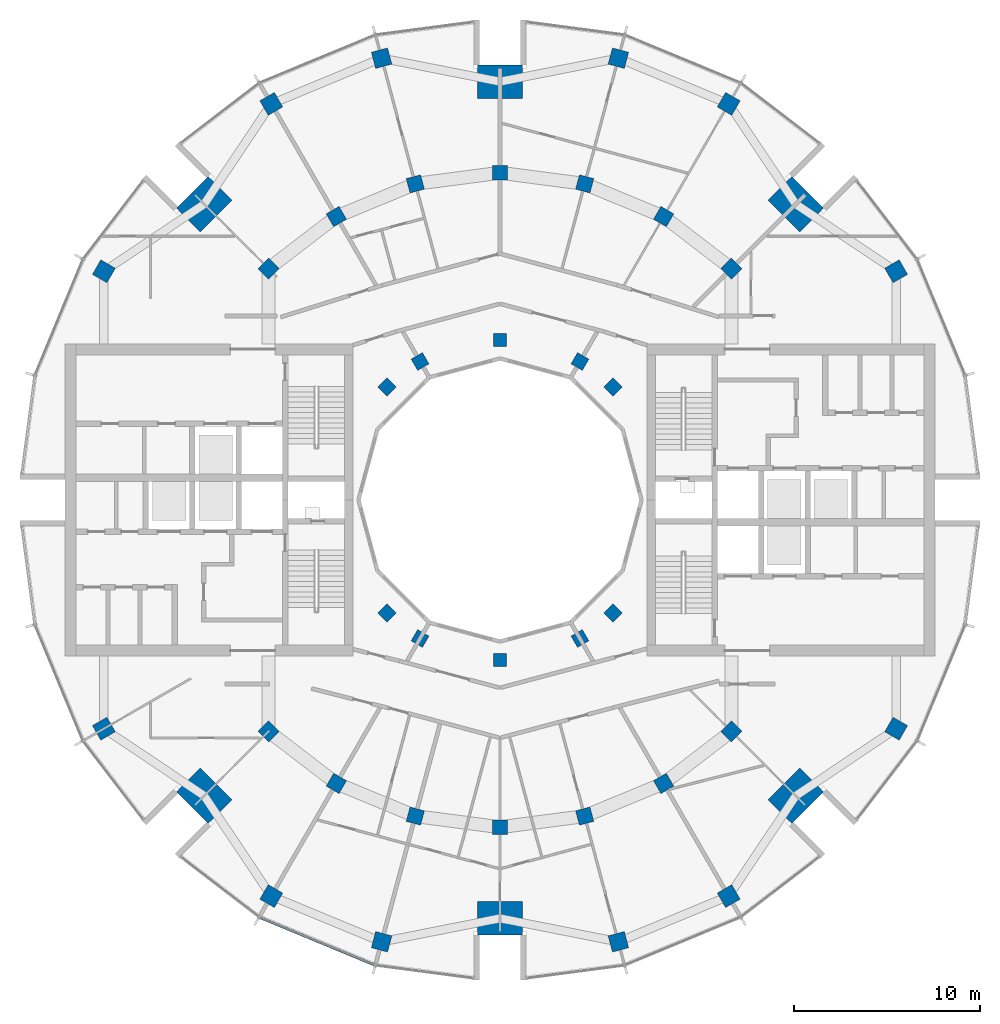
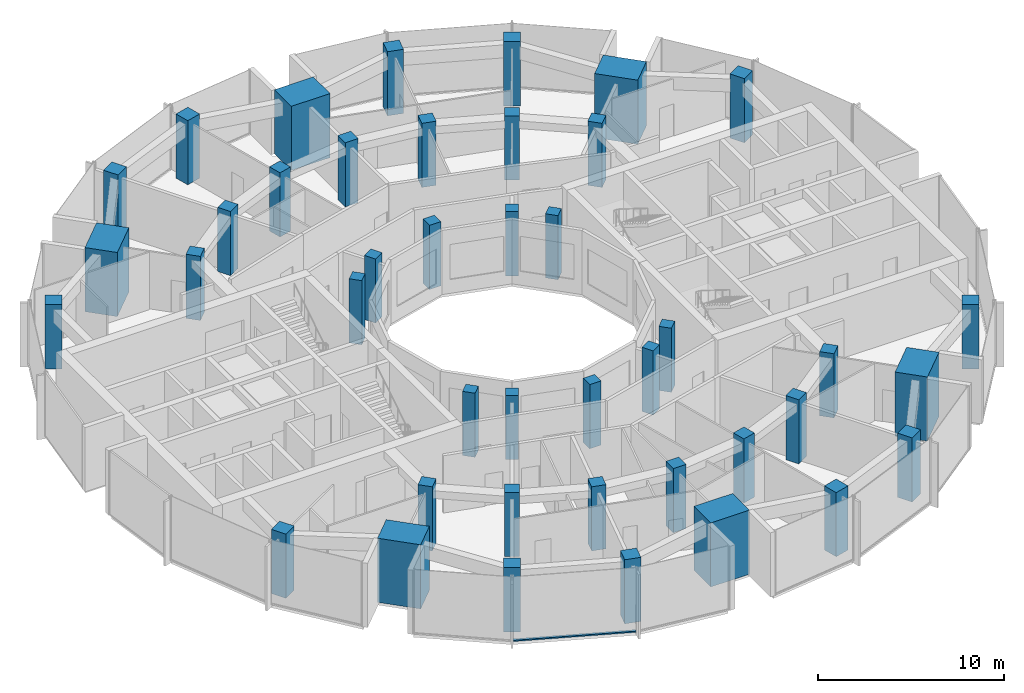
# One storey, part 1 of 15: 42 columns, 1 member, 1 element without a shape of its own.
"""IFC4 building model written with IfcOpenShell, lengths in metres."""

from ifc_helpers import new_model, si_unit, direction, frame, origin, origin_2d, place, context, subcontext, project, spatial, rectangle, extrude, material, layer, layer_set, material_profile, profile_set, type_object, element, aggregate, save


model = new_model("IFC4")

# Units and contexts
model_context = context("Model", 3, precision=1e-05, world=origin(), true_north=direction((0.0, 1.0)))
body_context = subcontext(model_context, "Body", "Model", "MODEL_VIEW")
ifc_project = project(units=[si_unit("LENGTHUNIT", "METRE"), si_unit("AREAUNIT", "SQUARE_METRE"), si_unit("VOLUMEUNIT", "CUBIC_METRE"), si_unit("PLANEANGLEUNIT", "RADIAN"), si_unit("MASSUNIT", "GRAM", prefix="KILO")], contexts=[model_context])

# Site, building, storey
site_placement = place(None, origin())
site = spatial("IfcSite", under=ifc_project, at=site_placement, CompositionType="ELEMENT")
building_placement = place(site_placement, origin())
building = spatial("IfcBuilding", under=site, at=building_placement, Name="Torre Brocal", CompositionType="ELEMENT")
storey_placement = place(building_placement, frame((0.0, 0.0, 212.5)))
storey = spatial("IfcBuildingStorey", under=building, at=storey_placement, Name="L49", CompositionType="ELEMENT", Elevation=212.5)

# Columns
ifc_material_1 = material(Name="Concrete C60", Category="concrete")
ifc_material_profile_1 = material_profile(ifc_material_1, rectangle(XDim=1.800048828125, YDim=2.39990234375, at=origin_2d()), Name="RC 1800X2400")
ifc_profile_set_1 = profile_set([ifc_material_profile_1], Name="Concrete C60")
column_type_1 = type_object("IfcColumnType", Name="RC COLUMN 1800X2400 C60", PredefinedType="COLUMN", material=ifc_profile_set_1)
for number, where, z_axis, x_axis, name in (
    (1, (95.909912109375, 90.909912109375, 0.0), (0.0, 0.0, 1.0), (0.707106781187, 0.707106781187, 0.0), "Column MC-1"),
    (2, (80.0, 97.5, 0.0), (0.0, 0.0, 1.0), (0.0, 1.0, 0.0), "Column MC-2"),
    (3, (64.090087890625, 90.909912109375, 0.0), (0.0, 0.0, 1.0), (-0.707106781187, 0.707106781187, 0.0), "Column MC-3"),
    (4, (64.090087890625, 59.090087890625, 0.0), (0.0, 0.0, 1.0), (-0.707106781187, -0.707106781187, 0.0), "Column MC-5"),
    (5, (80.0, 52.5, 0.0), (0.0, 0.0, 1.0), (0.0, -1.0, 0.0), "Column MC-6"),
    (6, (95.909912109375, 59.090087890625, 0.0), (0.0, 0.0, 1.0), (0.707106781187, -0.707106781187, 0.0), "Column MC-7"),
):
    element("IfcColumn", number, at=place(storey_placement, frame(where, z_axis=z_axis, x_axis=x_axis)), inside=storey, type_object=column_type_1, Name=name, PredefinedType="COLUMN", context=body_context, shape_type="SweptSolid", body=[
        extrude(rectangle(XDim=1.800048828125, YDim=2.39990234375, at=origin_2d()), origin(), (0.0, 0.0, 1.0), 4.199951171875),
    ])
ifc_material_2 = material(Name="Concrete C60", Category="concrete")
ifc_material_profile_2 = material_profile(ifc_material_2, rectangle(XDim=0.699951171875, YDim=0.699951171875, at=origin_2d()), Name="RC 700X700")
ifc_profile_set_2 = profile_set([ifc_material_profile_2], Name="Concrete C60")
column_type_2 = type_object("IfcColumnType", Name="RC COLUMN 700X700 C60", PredefinedType="COLUMN", material=ifc_profile_set_2)
for number, where, z_axis, x_axis, name in (
    (7, (86.0810546875, 81.0810546875, 0.0), (0.0, 0.0, 1.0), (0.707106781187, 0.707106781187, 0.0), "Column C-I03"),
    (8, (84.300048828125, 82.44775390625, 0.0), (0.0, 0.0, 1.0), (0.5, 0.866025403784, 0.0), "Column C-I04"),
    (9, (80.0, 83.60009765625, 0.0), (0.0, 0.0, 1.0), (0.0, 1.0, 0.0), "Column C-I06"),
    (10, (75.699951171875, 82.44775390625, 0.0), (0.0, 0.0, 1.0), (-0.5, 0.866025403784, 0.0), "Column C-I08"),
    (11, (73.9189453125, 81.0810546875, 0.0), (0.0, 0.0, 1.0), (-0.707106781187, 0.707106781187, 0.0), "Column C-I09"),
    (12, (73.9189453125, 68.9189453125, 0.0), (0.0, 0.0, 1.0), (-0.707106781187, -0.707106781187, 0.0), "Column C-I15"),
    (13, (75.699951171875, 67.55224609375, 0.0), (0.0, 0.0, 1.0), (-0.5, -0.866025403784, 0.0), "Column C-I16"),
    (14, (80.0, 66.39990234375, 0.0), (0.0, 0.0, 1.0), (0.0, -1.0, 0.0), "Column C-I18"),
    (15, (84.300048828125, 67.55224609375, 0.0), (0.0, 0.0, 1.0), (0.5, -0.866025403784, 0.0), "Column C-I20"),
    (16, (86.0810546875, 68.9189453125, 0.0), (0.0, 0.0, 1.0), (0.707106781187, -0.707106781187, 0.0), "Column C-I21"),
):
    element("IfcColumn", number, at=place(storey_placement, frame(where, z_axis=z_axis, x_axis=x_axis)), inside=storey, type_object=column_type_2, Name=name, PredefinedType="COLUMN", context=body_context, shape_type="SweptSolid", body=[
        extrude(rectangle(XDim=0.699951171875, YDim=0.699951171875, at=origin_2d()), origin(), (0.0, 0.0, 1.0), 4.199951171875),
    ])
ifc_material_3 = material(Name="Concrete C60", Category="concrete")
ifc_material_profile_3 = material_profile(ifc_material_3, rectangle(XDim=0.800048828125, YDim=0.800048828125, at=origin_2d()), Name="RC 800X800")
ifc_profile_set_3 = profile_set([ifc_material_profile_3], Name="Concrete C60")
column_type_3 = type_object("IfcColumnType", Name="RC COLUMN 800X800 C60", PredefinedType="COLUMN", material=ifc_profile_set_3)
for number, where, z_axis, x_axis, name in (
    (17, (92.445068359375, 87.445068359375, 0.0), (0.0, 0.0, 1.0), (0.707106781187, 0.707106781187, 0.0), "Column C-M03"),
    (18, (88.800048828125, 90.241943359375, 0.0), (0.0, 0.0, 1.0), (0.5, 0.866025403784, 0.0), "Column C-M04"),
    (19, (84.55517578125, 92.000244140625, 0.0), (0.0, 0.0, 1.0), (0.258819045103, 0.965925826289, 0.0), "Column C-M05"),
    (20, (80.0, 92.60009765625, 0.0), (0.0, 0.0, 1.0), (0.0, 1.0, 0.0), "Column C-M06"),
    (21, (75.44482421875, 92.000244140625, 0.0), (0.0, 0.0, 1.0), (-0.258819045103, 0.965925826289, 0.0), "Column C-M07"),
    (22, (71.199951171875, 90.241943359375, 0.0), (0.0, 0.0, 1.0), (-0.5, 0.866025403784, 0.0), "Column C-M08"),
    (23, (67.554931640625, 87.445068359375, 0.0), (0.0, 0.0, 1.0), (-0.707106781187, 0.707106781187, 0.0), "Column C-M09"),
    (24, (67.554931640625, 62.554931640625, 0.0), (0.0, 0.0, 1.0), (-0.707106781187, -0.707106781187, 0.0), "Column C-M15"),
    (25, (71.199951171875, 59.758056640625, 0.0), (0.0, 0.0, 1.0), (-0.5, -0.866025403784, 0.0), "Column C-M16"),
    (26, (75.44482421875, 57.999755859375, 0.0), (0.0, 0.0, 1.0), (-0.258819045103, -0.965925826289, 0.0), "Column C-M17"),
    (27, (80.0, 57.39990234375, 0.0), (0.0, 0.0, 1.0), (0.0, -1.0, 0.0), "Column C-M18"),
    (28, (84.55517578125, 57.999755859375, 0.0), (0.0, 0.0, 1.0), (0.258819045103, -0.965925826289, 0.0), "Column C-M19"),
    (29, (88.800048828125, 59.758056640625, 0.0), (0.0, 0.0, 1.0), (0.5, -0.866025403784, 0.0), "Column C-M20"),
    (30, (92.445068359375, 62.554931640625, 0.0), (0.0, 0.0, 1.0), (0.707106781187, -0.707106781187, 0.0), "Column C-M21"),
):
    element("IfcColumn", number, at=place(storey_placement, frame(where, z_axis=z_axis, x_axis=x_axis)), inside=storey, type_object=column_type_3, Name=name, PredefinedType="COLUMN", context=body_context, shape_type="SweptSolid", body=[
        extrude(rectangle(XDim=0.800048828125, YDim=0.800048828125, at=origin_2d()), origin(), (0.0, 0.0, 1.0), 4.199951171875),
    ])
ifc_material_4 = material(Name="Concrete C60", Category="concrete")
ifc_material_profile_4 = material_profile(ifc_material_4, rectangle(XDim=0.89990234375, YDim=0.89990234375, at=origin_2d()), Name="RC 900X900")
ifc_profile_set_4 = profile_set([ifc_material_profile_4], Name="Concrete C60")
column_type_4 = type_object("IfcColumnType", Name="RC COLUMN 900X900 C60", PredefinedType="COLUMN", material=ifc_profile_set_4)
for number, where, z_axis, x_axis, name in (
    (31, (101.30419921875, 87.300048828125, 0.0), (0.0, 0.0, 1.0), (0.866025403784, 0.5, 0.0), "Column C-O02"),
    (32, (92.300048828125, 96.30419921875, 0.0), (0.0, 0.0, 1.0), (0.5, 0.866025403784, 0.0), "Column C-O04"),
    (33, (86.366943359375, 98.76171875, 0.0), (0.0, 0.0, 1.0), (0.258819045103, 0.965925826289, 0.0), "Column C-O05"),
    (34, (73.633056640625, 98.76171875, 0.0), (0.0, 0.0, 1.0), (-0.258819045103, 0.965925826289, 0.0), "Column C-O07"),
    (35, (67.699951171875, 96.30419921875, 0.0), (0.0, 0.0, 1.0), (-0.5, 0.866025403784, 0.0), "Column C-O08"),
    (36, (58.69580078125, 87.300048828125, 0.0), (0.0, 0.0, 1.0), (-0.866025403784, 0.5, 0.0), "Column C-O10"),
    (37, (58.69580078125, 62.699951171875, 0.0), (0.0, 0.0, 1.0), (-0.866025403784, -0.5, 0.0), "Column C-O14"),
    (38, (67.699951171875, 53.69580078125, 0.0), (0.0, 0.0, 1.0), (-0.5, -0.866025403784, 0.0), "Column C-O16"),
    (39, (73.633056640625, 51.23828125, 0.0), (0.0, 0.0, 1.0), (-0.258819045103, -0.965925826289, 0.0), "Column C-O17"),
    (40, (86.366943359375, 51.23828125, 0.0), (0.0, 0.0, 1.0), (0.258819045103, -0.965925826289, 0.0), "Column C-O19"),
    (41, (92.300048828125, 53.69580078125, 0.0), (0.0, 0.0, 1.0), (0.5, -0.866025403784, 0.0), "Column C-O20"),
    (42, (101.30419921875, 62.699951171875, 0.0), (0.0, 0.0, 1.0), (0.866025403784, -0.5, 0.0), "Column C-O22"),
):
    element("IfcColumn", number, at=place(storey_placement, frame(where, z_axis=z_axis, x_axis=x_axis)), inside=storey, type_object=column_type_4, Name=name, PredefinedType="COLUMN", context=body_context, shape_type="SweptSolid", body=[
        extrude(rectangle(XDim=0.89990234375, YDim=0.89990234375, at=origin_2d()), origin(), (0.0, 0.0, 1.0), 4.199951171875),
    ])

# Curtain wall, member
ifc_material_5 = material(Name="Aluminium and glass", Category="aluminium")
ifc_layer = layer(ifc_material_5, 0.199951171875)
ifc_layer_set = layer_set([ifc_layer], Name="Aluminium and glass")
curtain_wall_type = type_object("IfcCurtainWallType", Name="CW-1 CURTAIN WALL 4200 HIGH", PredefinedType="NOTDEFINED", material=ifc_layer_set)
curtain_wall_placement = place(storey_placement, origin())
curtain_wall = element("IfcCurtainWall", 43, at=curtain_wall_placement, inside=storey, type_object=curtain_wall_type, Name="CW-1 RUN 17", PredefinedType="NOTDEFINED")
ifc_material_6 = material(Name="Aluminium, dark anodised", Category="aluminium")
ifc_material_profile_5 = material_profile(ifc_material_6, rectangle(XDim=0.159912109375, YDim=0.080078125, at=origin_2d()), Name="CW-1 TRANSOM 160X80")
ifc_profile_set_5 = profile_set([ifc_material_profile_5], Name="Aluminium, dark anodised")
member_type = type_object("IfcMemberType", Name="CW-1 TRANSOM 160X80", PredefinedType="USERDEFINED", material=ifc_profile_set_5)
member_placement = place(storey_placement, frame((67.10595703125, 52.547607421875, 0.0400390625), z_axis=(0.923887344364, -0.38266457234, 0.0), x_axis=(0.38266457234, 0.923887344364, 0.0)))
member = element("IfcMember", 44, at=member_placement, type_object=member_type, Name="CW1-5 transom 1.1", ObjectType="TRANSOM", PredefinedType="USERDEFINED", context=body_context, shape_type="SweptSolid", body=[
    extrude(rectangle(XDim=0.159912109375, YDim=0.080078125, at=origin_2d()), origin(), (0.0, 0.0, 1.0), 6.640869140625),
])
aggregate(curtain_wall, [member])

save(model, "model.ifc")
